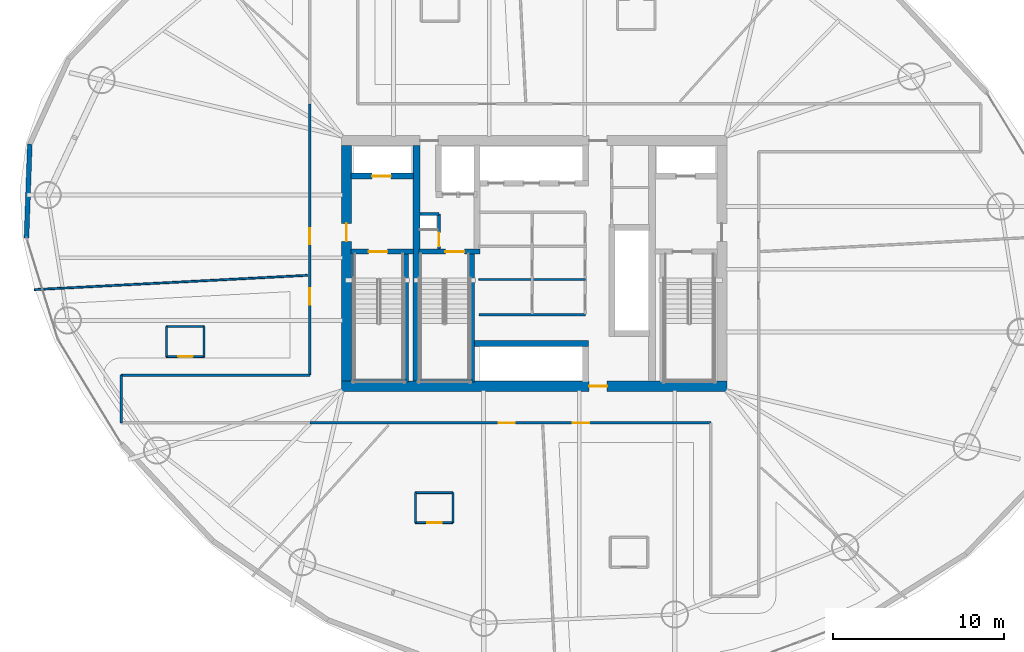
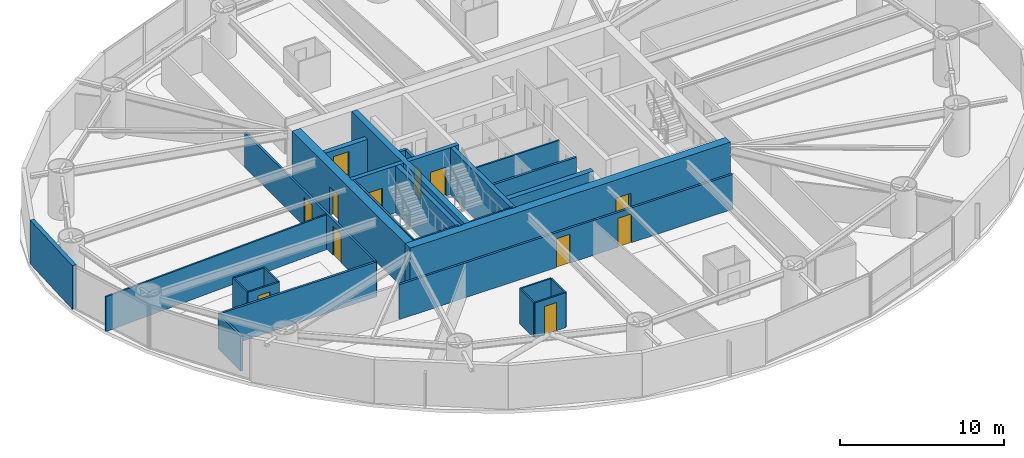
# One storey, part 23 of 30: 30 walls, 12 doors, 12 openings.
"""IFC4 building model written with IfcOpenShell, lengths in metres."""

from ifc_helpers import new_model, si_unit, direction, frame, frame_2d, origin, place, context, subcontext, project, spatial, rectangle, extrude, material, layer, layer_set, type_object, element, fill, save


model = new_model("IFC4")

# Units and contexts
model_context = context("Model", 3, precision=1e-05, world=origin(), true_north=direction((0.0, 1.0)))
body_context = subcontext(model_context, "Body", "Model", "MODEL_VIEW")
ifc_project = project(units=[si_unit("LENGTHUNIT", "METRE"), si_unit("AREAUNIT", "SQUARE_METRE"), si_unit("VOLUMEUNIT", "CUBIC_METRE"), si_unit("PLANEANGLEUNIT", "RADIAN"), si_unit("MASSUNIT", "GRAM", prefix="KILO")], contexts=[model_context])

# Site, building, storey
site_placement = place(None, origin())
site = spatial("IfcSite", under=ifc_project, at=site_placement, CompositionType="ELEMENT")
building_placement = place(site_placement, origin())
building = spatial("IfcBuilding", under=site, at=building_placement, Name="Bramvorn Convention Spire", CompositionType="ELEMENT")
storey_placement = place(building_placement, frame((0.0, 0.0, 86.89990234375)))
storey = spatial("IfcBuildingStorey", under=building, at=storey_placement, Name="L20", CompositionType="ELEMENT", Elevation=86.89990234375)

# Wall, opening, door
ifc_material_1 = material(Name="Concrete C60/70", Category="concrete")
ifc_layer_1 = layer(ifc_material_1, 0.60009765625)
ifc_layer_set_1 = layer_set([ifc_layer_1], Name="Concrete C60/70 - WL-CORE-600")
wall_type_1 = type_object("IfcWallType", Name="WL-CORE-600", PredefinedType="SHEAR", material=ifc_layer_set_1)
wall_1_placement = place(storey_placement, frame((26.699951171875, 18.800048828125, 0.0), z_axis=(0.0, 0.0, 1.0), x_axis=(1.0, 0.0, 0.0)))
wall_1 = element("IfcWall", 1, at=wall_1_placement, inside=storey, type_object=wall_type_1, Name="L20 South RC core shear wall", PredefinedType="SHEAR", context=body_context, shape_type="SweptSolid", body=[
    extrude(rectangle(XDim=22.60009765625, YDim=0.60009765625, at=frame_2d((11.300048828125, 0.0))), origin(), (0.0, 0.0, 1.0), 3.5),
])
opening_1_placement = place(wall_1_placement, frame((14.52001953125, 0.0, 0.0)))
opening_1 = element("IfcOpeningElement", 2, at=opening_1_placement, cuts=wall_1, Name="Opening DL-105", PredefinedType="OPENING", context=body_context, shape_type="SweptSolid", body=[
    extrude(rectangle(XDim=1.050048828125, YDim=2.14990234375, at=frame_2d((0.52490234375, 1.074951171875))), frame((0.0, 0.31005859375, 0.0), z_axis=(0.0, -1.0, 0.0), x_axis=(1.0, 0.0, 0.0)), (0.0, 0.0, 1.0), 0.6201171875),
])
ifc_material_2 = material(Name="Smoke-Sealed Fire Lobby Timber-Core Door", Category="wood")
door_type_1 = type_object("IfcDoorType", Name="DR-LOBBY-1050", OperationType="NOTDEFINED", PredefinedType="DOOR", material=ifc_material_2)
door_1_placement = place(opening_1_placement, origin())
door_1 = element("IfcDoor", 3, at=door_1_placement, inside=storey, type_object=door_type_1, Name="L20 South Lift Lobby fire door", OperationType="SINGLE_SWING_RIGHT", OverallHeight=2.14990234375, OverallWidth=1.050048828125, PredefinedType="DOOR", context=body_context, shape_type="SweptSolid", body=[
    extrude(rectangle(XDim=1.050048828125, YDim=2.14990234375, at=frame_2d((0.52490234375, 1.074951171875))), frame((0.0, 0.02490234375, 0.0), z_axis=(0.0, -1.0, 0.0), x_axis=(1.0, 0.0, 0.0)), (0.0, 0.0, 1.0), 0.050048828125),
])
fill(opening_1, door_1)

wall_2_placement = place(storey_placement, frame((27.0, 19.10009765625, 0.0), z_axis=(0.0, 0.0, 1.0), x_axis=(0.0, 1.0, 0.0)))
wall_2 = element("IfcWall", 4, at=wall_2_placement, inside=storey, type_object=wall_type_1, Name="L20 West RC core shear wall", PredefinedType="SHEAR", context=body_context, shape_type="SweptSolid", body=[
    extrude(rectangle(XDim=13.7998046875, YDim=0.60009765625, at=frame_2d((6.89990234375, 0.0))), origin(), (0.0, 0.0, 1.0), 3.5),
])
opening_2_placement = place(wall_2_placement, frame((8.199951171875, 0.0, 0.0)))
opening_2 = element("IfcOpeningElement", 5, at=opening_2_placement, cuts=wall_2, Name="Opening DL-105", PredefinedType="OPENING", context=body_context, shape_type="SweptSolid", body=[
    extrude(rectangle(XDim=1.050048828125, YDim=2.14990234375, at=frame_2d((0.52490234375, 1.074951171875))), frame((0.0, 0.31005859375, 0.0), z_axis=(0.0, -1.0, 0.0), x_axis=(1.0, 0.0, 0.0)), (0.0, 0.0, 1.0), 0.6201171875),
])
door_2_placement = place(opening_2_placement, origin())
door_2 = element("IfcDoor", 6, at=door_2_placement, inside=storey, type_object=door_type_1, Name="L20 West Firefighting Lobby corridor door", OperationType="SINGLE_SWING_RIGHT", OverallHeight=2.14990234375, OverallWidth=1.050048828125, PredefinedType="DOOR", context=body_context, shape_type="SweptSolid", body=[
    extrude(rectangle(XDim=1.050048828125, YDim=2.14990234375, at=frame_2d((0.52490234375, 1.074951171875))), frame((0.0, 0.02490234375, 0.0), z_axis=(0.0, -1.0, 0.0), x_axis=(1.0, 0.0, 0.0)), (0.0, 0.0, 1.0), 0.050048828125),
])
fill(opening_2, door_2)

ifc_material_3 = material(Name="Concrete C50/60", Category="concrete")
ifc_layer_2 = layer(ifc_material_3, 0.35009765625)
ifc_layer_set_2 = layer_set([ifc_layer_2], Name="Concrete C50/60 - WL-CORE-INT-350")
wall_type_2 = type_object("IfcWallType", Name="WL-CORE-INT-350", PredefinedType="SHEAR", material=ifc_layer_set_2)
wall_3_placement = place(storey_placement, frame((27.25, 31.1201171875, 0.0), z_axis=(0.0, 0.0, 1.0), x_axis=(1.0, 0.0, 0.0)))
wall_3 = element("IfcWall", 7, at=wall_3_placement, inside=storey, type_object=wall_type_2, Name="L20 FE1 shaft front wall", PredefinedType="SHEAR", context=body_context, shape_type="SweptSolid", body=[
    extrude(rectangle(XDim=3.669921875, YDim=0.35009765625, at=frame_2d((1.8349609375, 0.0))), origin(), (0.0, 0.0, 1.0), 2.60009765625),
])
opening_3_placement = place(wall_3_placement, frame((1.25, 0.0, 0.0)))
opening_3 = element("IfcOpeningElement", 8, at=opening_3_placement, cuts=wall_3, Name="Opening LD-110", PredefinedType="OPENING", context=body_context, shape_type="SweptSolid", body=[
    extrude(rectangle(XDim=1.10009765625, YDim=2.14990234375, at=frame_2d((0.550048828125, 1.074951171875))), frame((0.0, 0.18505859375, 0.0), z_axis=(0.0, -1.0, 0.0), x_axis=(1.0, 0.0, 0.0)), (0.0, 0.0, 1.0), 0.3701171875),
])
ifc_material_4 = material(Name="Firefighting & Service Lift Sliding Landing Door", Category="steel")
door_type_2 = type_object("IfcDoorType", Name="DR-LIFT-LD-1100", OperationType="NOTDEFINED", PredefinedType="DOOR", material=ifc_material_4)
door_3_placement = place(opening_3_placement, origin())
door_3 = element("IfcDoor", 9, at=door_3_placement, inside=storey, type_object=door_type_2, Name="L20 Lift FE1 Sliding Landing Door", OperationType="SLIDING_TO_LEFT", OverallHeight=2.14990234375, OverallWidth=1.10009765625, PredefinedType="DOOR", context=body_context, shape_type="SweptSolid", body=[
    extrude(rectangle(XDim=1.10009765625, YDim=2.14990234375, at=frame_2d((0.550048828125, 1.074951171875))), frame((0.0, 0.02490234375, 0.0), z_axis=(0.0, -1.0, 0.0), x_axis=(1.0, 0.0, 0.0)), (0.0, 0.0, 1.0), 0.050048828125),
])
fill(opening_3, door_3)

# Walls
wall_4_placement = place(storey_placement, frame((34.489990234375, 21.300048828125, 0.0), z_axis=(0.0, 0.0, 1.0), x_axis=(1.0, 0.0, 0.0)))
element("IfcWall", 10, at=wall_4_placement, inside=storey, type_object=wall_type_2, Name="L20 Mid-rise bank north landing wall", PredefinedType="SHEAR", context=body_context, shape_type="SweptSolid", body=[
    extrude(rectangle(XDim=6.679931640625, YDim=0.35009765625, at=frame_2d((3.33984375, 0.0))), origin(), (0.0, 0.0, 1.0), 2.60009765625),
])
ifc_layer_3 = layer(ifc_material_1, 0.39990234375)
ifc_layer_set_3 = layer_set([ifc_layer_3], Name="Concrete C60/70 - WL-CORE-INT-400")
wall_type_3 = type_object("IfcWallType", Name="WL-CORE-INT-400", PredefinedType="SHEAR", material=ifc_layer_set_3)
wall_5_placement = place(storey_placement, frame((31.10009765625, 19.10009765625, 0.0), z_axis=(0.0, 0.0, 1.0), x_axis=(0.0, 1.0, 0.0)))
element("IfcWall", 11, at=wall_5_placement, inside=storey, type_object=wall_type_3, Name="L20 West internal core shear web", PredefinedType="SHEAR", context=body_context, shape_type="SweptSolid", body=[
    extrude(rectangle(XDim=13.7998046875, YDim=0.39990234375, at=frame_2d((6.89990234375, 0.0))), origin(), (0.0, 0.0, 1.0), 3.5),
])
ifc_material_5 = material(Name="Precast Concrete C40/50 with Bronze Terracotta Rainscreen", Category="masonry")
ifc_layer_4 = layer(ifc_material_5, 0.300048828125)
ifc_layer_set_4 = layer_set([ifc_layer_4], Name="Precast Concrete C40/50 with Bronze Terracotta Rainscreen - WL-EXT-BRONZE-300")
wall_type_4 = type_object("IfcWallType", Name="WL-EXT-BRONZE-300", PredefinedType="SOLIDWALL", material=ifc_layer_set_4)
wall_6_placement = place(storey_placement, frame((8.24169921875, 27.494873046875, 0.0), z_axis=(0.0, 0.0, 1.0), x_axis=(0.035127613865, 0.999382834926, 0.0)))
element("IfcWall", 12, at=wall_6_placement, inside=storey, type_object=wall_type_4, Name="L20 expressed bronze Gothic lancet pier wall 13", PredefinedType="SOLIDWALL", context=body_context, shape_type="SweptSolid", body=[
    extrude(rectangle(XDim=5.49755859375, YDim=0.280029296875, at=frame_2d((2.748779296875, 0.0))), origin(), (0.0, 0.0, 1.0), 3.25),
])
ifc_material_6 = material(Name="Lightweight En-Suite & Wet-Wall Partition", Category="gypsum")
ifc_layer_5 = layer(ifc_material_6, 0.110107421875)
ifc_layer_set_5 = layer_set([ifc_layer_5], Name="Lightweight En-Suite & Wet-Wall Partition - WL-PART-110")
wall_type_5 = type_object("IfcWallType", Name="WL-PART-110", PredefinedType="PARTITIONING", material=ifc_layer_set_5)
wall_7_placement = place(storey_placement, frame((34.75, 25.055908203125, 0.0), z_axis=(0.0, 0.0, 1.0), x_axis=(1.0, 0.0, 0.0)))
element("IfcWall", 13, at=wall_7_placement, inside=storey, type_object=wall_type_5, Name="L20 KB divider 1", PredefinedType="PARTITIONING", context=body_context, shape_type="SweptSolid", body=[
    extrude(rectangle(XDim=6.25, YDim=0.110107421875, at=frame_2d((3.125, 0.0))), origin(), (0.0, 0.0, 1.0), 2.60009765625),
])
wall_8_placement = place(storey_placement, frame((24.7099609375, 25.303466796875, 0.0), z_axis=(0.0, 0.0, 1.0), x_axis=(-0.998629623722, -0.052334258611, 0.0)))
element("IfcWall", 14, at=wall_8_placement, inside=storey, type_object=wall_type_5, Name="L20 Guestroom demising wall 5", PredefinedType="PARTITIONING", context=body_context, shape_type="SweptSolid", body=[
    extrude(rectangle(XDim=16.03369140625, YDim=0.110107421875, at=frame_2d((8.016845703125, 0.0))), origin(), (0.0, 0.0, 1.0), 2.60009765625),
])

# Wall, opening, door
wall_9_placement = place(storey_placement, frame((16.4453125, 20.541748046875, 0.0), z_axis=(0.0, 0.0, 1.0), x_axis=(1.0, 0.0, 0.0)))
wall_9 = element("IfcWall", 15, at=wall_9_placement, inside=storey, type_object=wall_type_5, Name="Hotel Suite 2005 en-suite south wall", PredefinedType="PARTITIONING", context=body_context, shape_type="SweptSolid", body=[
    extrude(rectangle(XDim=2.199951171875, YDim=0.110107421875, at=frame_2d((1.10009765625, 0.0))), origin(), (0.0, 0.0, 1.0), 2.60009765625),
])
opening_4_placement = place(wall_9_placement, frame((0.679931640625, 0.0, 0.0)))
opening_4 = element("IfcOpeningElement", 16, at=opening_4_placement, cuts=wall_9, Name="Opening DI-085", PredefinedType="OPENING", context=body_context, shape_type="SweptSolid", body=[
    extrude(rectangle(XDim=0.85009765625, YDim=2.10009765625, at=frame_2d((0.425048828125, 1.050048828125))), frame((0.0, 0.06494140625, 0.0), z_axis=(0.0, -1.0, 0.0), x_axis=(1.0, 0.0, 0.0)), (0.0, 0.0, 1.0), 0.130126953125),
])
ifc_material_7 = material(Name="En-Suite & Restroom Privacy Door", Category="wood")
door_type_3 = type_object("IfcDoorType", Name="DR-INT-850", OperationType="NOTDEFINED", PredefinedType="DOOR", material=ifc_material_7)
door_4_placement = place(opening_4_placement, origin())
door_4 = element("IfcDoor", 17, at=door_4_placement, inside=storey, type_object=door_type_3, Name="Hotel Suite 2005 En-Suite Bathroom door", OperationType="SINGLE_SWING_LEFT", OverallHeight=2.10009765625, OverallWidth=0.85009765625, PredefinedType="DOOR", context=body_context, shape_type="SweptSolid", body=[
    extrude(rectangle(XDim=0.85009765625, YDim=2.10009765625, at=frame_2d((0.425048828125, 1.050048828125))), frame((0.0, 0.02490234375, 0.0), z_axis=(0.0, -1.0, 0.0), x_axis=(1.0, 0.0, 0.0)), (0.0, 0.0, 1.0), 0.050048828125),
])
fill(opening_4, door_4)

# Walls
wall_10_placement = place(storey_placement, frame((16.4453125, 22.3017578125, 0.0), z_axis=(0.0, 0.0, 1.0), x_axis=(1.0, 0.0, 0.0)))
element("IfcWall", 18, at=wall_10_placement, inside=storey, type_object=wall_type_5, Name="Hotel Suite 2005 en-suite north wall", PredefinedType="PARTITIONING", context=body_context, shape_type="SweptSolid", body=[
    extrude(rectangle(XDim=2.199951171875, YDim=0.110107421875, at=frame_2d((1.10009765625, 0.0))), origin(), (0.0, 0.0, 1.0), 2.60009765625),
])
for number, where, z_axis, x_axis, name in (
    (19, (16.4453125, 20.541748046875, 0.0), (0.0, 0.0, 1.0), (0.0, 1.0, 0.0), "Hotel Suite 2005 en-suite west wall"),
    (20, (18.645263671875, 20.541748046875, 0.0), (0.0, 0.0, 1.0), (0.0, 1.0, 0.0), "Hotel Suite 2005 en-suite east wall"),
):
    element("IfcWall", number, at=place(storey_placement, frame(where, z_axis=z_axis, x_axis=x_axis)), inside=storey, type_object=wall_type_5, Name=name, PredefinedType="PARTITIONING", context=body_context, shape_type="SweptSolid", body=[
        extrude(rectangle(XDim=1.760009765625, YDim=0.110107421875, at=frame_2d((0.8798828125, 0.0))), origin(), (0.0, 0.0, 1.0), 2.60009765625),
    ])

# Wall, opening, door
wall_11_placement = place(storey_placement, frame((31.03857421875, 10.808837890625, 0.0), z_axis=(0.0, 0.0, 1.0), x_axis=(1.0, 0.0, 0.0)))
wall_11 = element("IfcWall", 21, at=wall_11_placement, inside=storey, type_object=wall_type_5, Name="Hotel Suite 2006 en-suite south wall", PredefinedType="PARTITIONING", context=body_context, shape_type="SweptSolid", body=[
    extrude(rectangle(XDim=2.199951171875, YDim=0.110107421875, at=frame_2d((1.10009765625, 0.0))), origin(), (0.0, 0.0, 1.0), 2.60009765625),
])
opening_5_placement = place(wall_11_placement, frame((0.679931640625, 0.0, 0.0)))
opening_5 = element("IfcOpeningElement", 22, at=opening_5_placement, cuts=wall_11, Name="Opening DI-085", PredefinedType="OPENING", context=body_context, shape_type="SweptSolid", body=[
    extrude(rectangle(XDim=0.85009765625, YDim=2.10009765625, at=frame_2d((0.425048828125, 1.050048828125))), frame((0.0, 0.06494140625, 0.0), z_axis=(0.0, -1.0, 0.0), x_axis=(1.0, 0.0, 0.0)), (0.0, 0.0, 1.0), 0.130126953125),
])
door_5_placement = place(opening_5_placement, origin())
door_5 = element("IfcDoor", 23, at=door_5_placement, inside=storey, type_object=door_type_3, Name="Hotel Suite 2006 En-Suite Bathroom door", OperationType="SINGLE_SWING_LEFT", OverallHeight=2.10009765625, OverallWidth=0.85009765625, PredefinedType="DOOR", context=body_context, shape_type="SweptSolid", body=[
    extrude(rectangle(XDim=0.85009765625, YDim=2.10009765625, at=frame_2d((0.425048828125, 1.050048828125))), frame((0.0, 0.02490234375, 0.0), z_axis=(0.0, -1.0, 0.0), x_axis=(1.0, 0.0, 0.0)), (0.0, 0.0, 1.0), 0.050048828125),
])
fill(opening_5, door_5)

# Walls
wall_12_placement = place(storey_placement, frame((31.03857421875, 12.56884765625, 0.0), z_axis=(0.0, 0.0, 1.0), x_axis=(1.0, 0.0, 0.0)))
element("IfcWall", 24, at=wall_12_placement, inside=storey, type_object=wall_type_5, Name="Hotel Suite 2006 en-suite north wall", PredefinedType="PARTITIONING", context=body_context, shape_type="SweptSolid", body=[
    extrude(rectangle(XDim=2.199951171875, YDim=0.110107421875, at=frame_2d((1.10009765625, 0.0))), origin(), (0.0, 0.0, 1.0), 2.60009765625),
])
for number, where, z_axis, x_axis, name in (
    (25, (31.03857421875, 10.808837890625, 0.0), (0.0, 0.0, 1.0), (0.0, 1.0, 0.0), "Hotel Suite 2006 en-suite west wall"),
    (26, (33.238525390625, 10.808837890625, 0.0), (0.0, 0.0, 1.0), (0.0, 1.0, 0.0), "Hotel Suite 2006 en-suite east wall"),
):
    element("IfcWall", number, at=place(storey_placement, frame(where, z_axis=z_axis, x_axis=x_axis)), inside=storey, type_object=wall_type_5, Name=name, PredefinedType="PARTITIONING", context=body_context, shape_type="SweptSolid", body=[
        extrude(rectangle(XDim=1.760009765625, YDim=0.110107421875, at=frame_2d((0.8798828125, 0.0))), origin(), (0.0, 0.0, 1.0), 2.60009765625),
    ])
ifc_material_8 = material(Name="Acoustic Metal-Stud Tenant/Corridor Partition", Category="gypsum")
ifc_layer_6 = layer(ifc_material_8, 0.14990234375)
ifc_layer_set_6 = layer_set([ifc_layer_6], Name="Acoustic Metal-Stud Tenant/Corridor Partition - WL-PART-150")
wall_type_6 = type_object("IfcWallType", Name="WL-PART-150", PredefinedType="PARTITIONING", material=ifc_layer_set_6)
wall_13_placement = place(storey_placement, frame((34.75, 23.0, 0.0), z_axis=(0.0, 0.0, 1.0), x_axis=(1.0, 0.0, 0.0)))
element("IfcWall", 27, at=wall_13_placement, inside=storey, type_object=wall_type_6, Name="L20 Mid-rise lift vestibule north wall", PredefinedType="PARTITIONING", context=body_context, shape_type="SweptSolid", body=[
    extrude(rectangle(XDim=6.25, YDim=0.14990234375, at=frame_2d((3.125, 0.0))), origin(), (0.0, 0.0, 1.0), 2.60009765625),
])

# Wall, openings, doors
wall_14_placement = place(storey_placement, frame((24.85009765625, 16.64990234375, 0.0), z_axis=(0.0, 0.0, 1.0), x_axis=(1.0, 0.0, 0.0)))
wall_14 = element("IfcWall", 28, at=wall_14_placement, inside=storey, type_object=wall_type_6, Name="L20 South ring corridor wall", PredefinedType="PARTITIONING", context=body_context, shape_type="SweptSolid", body=[
    extrude(rectangle(XDim=23.5, YDim=0.14990234375, at=frame_2d((11.75, 0.0))), origin(), (0.0, 0.0, 1.0), 2.60009765625),
])
opening_6_placement = place(wall_14_placement, frame((11.05712890625, 0.0, 0.0)))
opening_6 = element("IfcOpeningElement", 29, at=opening_6_placement, cuts=wall_14, Name="Opening DH-095", PredefinedType="OPENING", context=body_context, shape_type="SweptSolid", body=[
    extrude(rectangle(XDim=0.949951171875, YDim=2.14990234375, at=frame_2d((0.47509765625, 1.074951171875))), frame((0.0, 0.0849609375, 0.0), z_axis=(0.0, -1.0, 0.0), x_axis=(1.0, 0.0, 0.0)), (0.0, 0.0, 1.0), 0.169921875),
])
opening_7_placement = place(wall_14_placement, frame((15.41259765625, 0.0, 0.0)))
opening_7 = element("IfcOpeningElement", 30, at=opening_7_placement, cuts=wall_14, Name="Opening DH-095", PredefinedType="OPENING", context=body_context, shape_type="SweptSolid", body=[
    extrude(rectangle(XDim=0.949951171875, YDim=2.14990234375, at=frame_2d((0.47509765625, 1.074951171875))), frame((0.0, 0.0849609375, 0.0), z_axis=(0.0, -1.0, 0.0), x_axis=(1.0, 0.0, 0.0)), (0.0, 0.0, 1.0), 0.169921875),
])
ifc_material_9 = material(Name="Solid-Core Acoustic Guestroom Entry Door", Category="wood")
door_type_4 = type_object("IfcDoorType", Name="DR-HOTEL-950", OperationType="NOTDEFINED", PredefinedType="DOOR", material=ifc_material_9)
door_6_placement = place(opening_6_placement, origin())
door_6 = element("IfcDoor", 31, at=door_6_placement, inside=storey, type_object=door_type_4, Name="Hotel Suite 2006 entry door", OperationType="SINGLE_SWING_RIGHT", OverallHeight=2.14990234375, OverallWidth=0.949951171875, PredefinedType="DOOR", context=body_context, shape_type="SweptSolid", body=[
    extrude(rectangle(XDim=0.949951171875, YDim=2.14990234375, at=frame_2d((0.47509765625, 1.074951171875))), frame((0.0, 0.02490234375, 0.0), z_axis=(0.0, -1.0, 0.0), x_axis=(1.0, 0.0, 0.0)), (0.0, 0.0, 1.0), 0.050048828125),
])
fill(opening_6, door_6)
door_7_placement = place(opening_7_placement, origin())
door_7 = element("IfcDoor", 32, at=door_7_placement, inside=storey, type_object=door_type_4, Name="Hotel Suite 2007 entry door", OperationType="SINGLE_SWING_RIGHT", OverallHeight=2.14990234375, OverallWidth=0.949951171875, PredefinedType="DOOR", context=body_context, shape_type="SweptSolid", body=[
    extrude(rectangle(XDim=0.949951171875, YDim=2.14990234375, at=frame_2d((0.47509765625, 1.074951171875))), frame((0.0, 0.02490234375, 0.0), z_axis=(0.0, -1.0, 0.0), x_axis=(1.0, 0.0, 0.0)), (0.0, 0.0, 1.0), 0.050048828125),
])
fill(opening_7, door_7)

wall_15_placement = place(storey_placement, frame((24.85009765625, 19.449951171875, 0.0), z_axis=(0.0, 0.0, 1.0), x_axis=(0.0, 1.0, 0.0)))
wall_15 = element("IfcWall", 33, at=wall_15_placement, inside=storey, type_object=wall_type_6, Name="L20 West ring corridor wall", PredefinedType="PARTITIONING", context=body_context, shape_type="SweptSolid", body=[
    extrude(rectangle(XDim=15.900146484375, YDim=0.14990234375, at=frame_2d((7.9501953125, 0.0))), origin(), (0.0, 0.0, 1.0), 2.60009765625),
])
opening_8_placement = place(wall_15_placement, frame((7.668701171875, 0.0, 0.0)))
opening_8 = element("IfcOpeningElement", 34, at=opening_8_placement, cuts=wall_15, Name="Opening DH-095", PredefinedType="OPENING", context=body_context, shape_type="SweptSolid", body=[
    extrude(rectangle(XDim=0.949951171875, YDim=2.14990234375, at=frame_2d((0.47509765625, 1.074951171875))), frame((0.0, 0.0849609375, 0.0), z_axis=(0.0, -1.0, 0.0), x_axis=(1.0, 0.0, 0.0)), (0.0, 0.0, 1.0), 0.169921875),
])
opening_9_placement = place(wall_15_placement, frame((4.13818359375, 0.0, 0.0)))
opening_9 = element("IfcOpeningElement", 35, at=opening_9_placement, cuts=wall_15, Name="Opening DH-095", PredefinedType="OPENING", context=body_context, shape_type="SweptSolid", body=[
    extrude(rectangle(XDim=0.949951171875, YDim=2.14990234375, at=frame_2d((0.47509765625, 1.074951171875))), frame((0.0, 0.0849609375, 0.0), z_axis=(0.0, -1.0, 0.0), x_axis=(1.0, 0.0, 0.0)), (0.0, 0.0, 1.0), 0.169921875),
])
door_8_placement = place(opening_8_placement, origin())
door_8 = element("IfcDoor", 36, at=door_8_placement, inside=storey, type_object=door_type_4, Name="L20 Hospitality Salon 4 door", OperationType="SINGLE_SWING_RIGHT", OverallHeight=2.14990234375, OverallWidth=0.949951171875, PredefinedType="DOOR", context=body_context, shape_type="SweptSolid", body=[
    extrude(rectangle(XDim=0.949951171875, YDim=2.14990234375, at=frame_2d((0.47509765625, 1.074951171875))), frame((0.0, 0.02490234375, 0.0), z_axis=(0.0, -1.0, 0.0), x_axis=(1.0, 0.0, 0.0)), (0.0, 0.0, 1.0), 0.050048828125),
])
fill(opening_8, door_8)
door_9_placement = place(opening_9_placement, origin())
door_9 = element("IfcDoor", 37, at=door_9_placement, inside=storey, type_object=door_type_4, Name="Hotel Suite 2005 entry door", OperationType="SINGLE_SWING_LEFT", OverallHeight=2.14990234375, OverallWidth=0.949951171875, PredefinedType="DOOR", context=body_context, shape_type="SweptSolid", body=[
    extrude(rectangle(XDim=0.949951171875, YDim=2.14990234375, at=frame_2d((0.47509765625, 1.074951171875))), frame((0.0, 0.02490234375, 0.0), z_axis=(0.0, -1.0, 0.0), x_axis=(1.0, 0.0, 0.0)), (0.0, 0.0, 1.0), 0.050048828125),
])
fill(opening_9, door_9)

# Walls
wall_16_placement = place(storey_placement, frame((13.781494140625, 19.449951171875, 0.0), z_axis=(0.0, 0.0, 1.0), x_axis=(1.0, 0.0, 0.0)))
element("IfcWall", 38, at=wall_16_placement, inside=storey, type_object=wall_type_6, Name="L20 SW pinwheel wing north wall", PredefinedType="PARTITIONING", context=body_context, shape_type="SweptSolid", body=[
    extrude(rectangle(XDim=11.068603515625, YDim=0.14990234375, at=frame_2d((5.5341796875, 0.0))), origin(), (0.0, 0.0, 1.0), 2.60009765625),
])
wall_17_placement = place(storey_placement, frame((13.781494140625, 16.64990234375, 0.0), z_axis=(0.0, 0.0, 1.0), x_axis=(0.0, 1.0, 0.0)))
element("IfcWall", 39, at=wall_17_placement, inside=storey, type_object=wall_type_6, Name="L20 SW pinwheel end wall", PredefinedType="PARTITIONING", context=body_context, shape_type="SweptSolid", body=[
    extrude(rectangle(XDim=2.800048828125, YDim=0.14990234375, at=frame_2d((1.39990234375, 0.0))), origin(), (0.0, 0.0, 1.0), 2.60009765625),
])

# Wall, opening, door
ifc_material_10 = material(Name="Gypsum Shaftwall & Rockwool Core Partition", Category="gypsum")
ifc_layer_7 = layer(ifc_material_10, 0.199951171875)
ifc_layer_set_7 = layer_set([ifc_layer_7], Name="Gypsum Shaftwall & Rockwool Core Partition - WL-PART-200-FR")
wall_type_7 = type_object("IfcWallType", Name="WL-PART-200-FR", PredefinedType="PARTITIONING", material=ifc_layer_set_7)
wall_18_placement = place(storey_placement, frame((32.419921875, 26.860107421875, 0.0), z_axis=(0.0, 0.0, 1.0), x_axis=(0.0, 1.0, 0.0)))
wall_18 = element("IfcWall", 40, at=wall_18_placement, inside=storey, type_object=wall_type_7, Name="L20 Telecom riser east wall", PredefinedType="PARTITIONING", context=body_context, shape_type="SweptSolid", body=[
    extrude(rectangle(XDim=2.039794921875, YDim=0.199951171875, at=frame_2d((1.02001953125, 0.0))), origin(), (0.0, 0.0, 1.0), 2.60009765625),
])
opening_10_placement = place(wall_18_placement, frame((0.139892578125, 0.0, 0.0)))
opening_10 = element("IfcOpeningElement", 41, at=opening_10_placement, cuts=wall_18, Name="Opening DR-080", PredefinedType="OPENING", context=body_context, shape_type="SweptSolid", body=[
    extrude(rectangle(XDim=0.800048828125, YDim=2.050048828125, at=frame_2d((0.39990234375, 1.02490234375))), frame((0.0, 0.10986328125, 0.0), z_axis=(0.0, -1.0, 0.0), x_axis=(1.0, 0.0, 0.0)), (0.0, 0.0, 1.0), 0.219970703125),
])
ifc_material_11 = material(Name="Flush Steel Riser Access Door", Category="steel")
door_type_5 = type_object("IfcDoorType", Name="DR-RISER-800", OperationType="NOTDEFINED", PredefinedType="DOOR", material=ifc_material_11)
door_10_placement = place(opening_10_placement, origin())
door_10 = element("IfcDoor", 42, at=door_10_placement, inside=storey, type_object=door_type_5, Name="L20 Telecom riser access door", OperationType="SINGLE_SWING_RIGHT", OverallHeight=2.050048828125, OverallWidth=0.800048828125, PredefinedType="DOOR", context=body_context, shape_type="SweptSolid", body=[
    extrude(rectangle(XDim=0.800048828125, YDim=2.050048828125, at=frame_2d((0.39990234375, 1.02490234375))), frame((0.0, 0.02490234375, 0.0), z_axis=(0.0, -1.0, 0.0), x_axis=(1.0, 0.0, 0.0)), (0.0, 0.0, 1.0), 0.050048828125),
])
fill(opening_10, door_10)

# Wall
wall_19_placement = place(storey_placement, frame((31.300048828125, 28.89990234375, 0.0), z_axis=(0.0, 0.0, 1.0), x_axis=(1.0, 0.0, 0.0)))
element("IfcWall", 43, at=wall_19_placement, inside=storey, type_object=wall_type_7, Name="L20 Telecom riser north wall", PredefinedType="PARTITIONING", context=body_context, shape_type="SweptSolid", body=[
    extrude(rectangle(XDim=1.119873046875, YDim=0.199951171875, at=frame_2d((0.56005859375, 0.0))), origin(), (0.0, 0.0, 1.0), 2.60009765625),
])

# Wall, opening, door
ifc_layer_8 = layer(ifc_material_3, 0.300048828125)
ifc_layer_set_8 = layer_set([ifc_layer_8], Name="Concrete C50/60 - WL-POD-STAIR-300")
wall_type_8 = type_object("IfcWallType", Name="WL-POD-STAIR-300", PredefinedType="SHEAR", material=ifc_layer_set_8)
wall_20_placement = place(storey_placement, frame((27.25, 26.68994140625, 0.0), z_axis=(0.0, 0.0, 1.0), x_axis=(1.0, 0.0, 0.0)))
wall_20 = element("IfcWall", 44, at=wall_20_placement, inside=storey, type_object=wall_type_8, Name="L20 ST1 north fire wall", PredefinedType="SHEAR", context=body_context, shape_type="SweptSolid", body=[
    extrude(rectangle(XDim=3.669921875, YDim=0.300048828125, at=frame_2d((1.8349609375, 0.0))), origin(), (0.0, 0.0, 1.0), 3.5),
])
opening_11_placement = place(wall_20_placement, frame((1.050048828125, 0.0, 0.0)))
opening_11 = element("IfcOpeningElement", 45, at=opening_11_placement, cuts=wall_20, Name="Opening DS-110", PredefinedType="OPENING", context=body_context, shape_type="SweptSolid", body=[
    extrude(rectangle(XDim=1.10009765625, YDim=2.14990234375, at=frame_2d((0.550048828125, 1.074951171875))), frame((0.0, 0.159912109375, 0.0), z_axis=(0.0, -1.0, 0.0), x_axis=(1.0, 0.0, 0.0)), (0.0, 0.0, 1.0), 0.320068359375),
])
ifc_material_12 = material(Name="Fire-Rated Hollow Steel Stairwell Door", Category="steel")
door_type_6 = type_object("IfcDoorType", Name="DR-STAIR-1100", OperationType="NOTDEFINED", PredefinedType="DOOR", material=ifc_material_12)
door_11_placement = place(opening_11_placement, origin())
door_11 = element("IfcDoor", 46, at=door_11_placement, inside=storey, type_object=door_type_6, Name="L20 Stair ST1 fire door", OperationType="SINGLE_SWING_LEFT", OverallHeight=2.14990234375, OverallWidth=1.10009765625, PredefinedType="DOOR", context=body_context, shape_type="SweptSolid", body=[
    extrude(rectangle(XDim=1.10009765625, YDim=2.14990234375, at=frame_2d((0.550048828125, 1.074951171875))), frame((0.0, 0.02490234375, 0.0), z_axis=(0.0, -1.0, 0.0), x_axis=(1.0, 0.0, 0.0)), (0.0, 0.0, 1.0), 0.050048828125),
])
fill(opening_11, door_11)

# Walls
for number, where, z_axis, x_axis, name in (
    (47, (30.489990234375, 19.050048828125, 0.0), (0.0, 0.0, 1.0), (0.0, 1.0, 0.0), "L20 ST1 east bearing wall"),
    (48, (34.340087890625, 19.050048828125, 0.0), (0.0, 0.0, 1.0), (0.0, 1.0, 0.0), "L20 ST3 east bearing wall"),
):
    element("IfcWall", number, at=place(storey_placement, frame(where, z_axis=z_axis, x_axis=x_axis)), inside=storey, type_object=wall_type_8, Name=name, PredefinedType="SHEAR", context=body_context, shape_type="SweptSolid", body=[
        extrude(rectangle(XDim=7.5, YDim=0.300048828125, at=frame_2d((3.75, 0.0))), origin(), (0.0, 0.0, 1.0), 3.5),
    ])

# Wall, opening, door
wall_21_placement = place(storey_placement, frame((31.25, 26.68994140625, 0.0), z_axis=(0.0, 0.0, 1.0), x_axis=(1.0, 0.0, 0.0)))
wall_21 = element("IfcWall", 49, at=wall_21_placement, inside=storey, type_object=wall_type_8, Name="L20 ST3 north lobby wall", PredefinedType="SHEAR", context=body_context, shape_type="SweptSolid", body=[
    extrude(rectangle(XDim=3.56005859375, YDim=0.300048828125, at=frame_2d((1.780029296875, 0.0))), origin(), (0.0, 0.0, 1.0), 3.5),
])
opening_12_placement = place(wall_21_placement, frame((1.550048828125, 0.0, 0.0)))
opening_12 = element("IfcOpeningElement", 50, at=opening_12_placement, cuts=wall_21, Name="Opening DS-110", PredefinedType="OPENING", context=body_context, shape_type="SweptSolid", body=[
    extrude(rectangle(XDim=1.10009765625, YDim=2.14990234375, at=frame_2d((0.550048828125, 1.074951171875))), frame((0.0, 0.159912109375, 0.0), z_axis=(0.0, -1.0, 0.0), x_axis=(1.0, 0.0, 0.0)), (0.0, 0.0, 1.0), 0.320068359375),
])
door_12_placement = place(opening_12_placement, origin())
door_12 = element("IfcDoor", 51, at=door_12_placement, inside=storey, type_object=door_type_6, Name="L20 Stair ST3 fire door", OperationType="SINGLE_SWING_LEFT", OverallHeight=2.14990234375, OverallWidth=1.10009765625, PredefinedType="DOOR", context=body_context, shape_type="SweptSolid", body=[
    extrude(rectangle(XDim=1.10009765625, YDim=2.14990234375, at=frame_2d((0.550048828125, 1.074951171875))), frame((0.0, 0.02490234375, 0.0), z_axis=(0.0, -1.0, 0.0), x_axis=(1.0, 0.0, 0.0)), (0.0, 0.0, 1.0), 0.050048828125),
])
fill(opening_12, door_12)

# Walls
ifc_layer_9 = layer(ifc_material_3, 0.1201171875)
ifc_layer_set_9 = layer_set([ifc_layer_9], Name="Concrete C50/60 - WL-STAIR-RC-120")
wall_type_9 = type_object("IfcWallType", Name="WL-STAIR-RC-120", PredefinedType="SHEAR", material=ifc_layer_set_9)
wall_22_placement = place(storey_placement, frame((27.39501953125, 19.10009765625, 0.0), z_axis=(0.0, 0.0, 1.0), x_axis=(0.0, 1.0, 0.0)))
element("IfcWall", 52, at=wall_22_placement, inside=storey, type_object=wall_type_9, Name="L20 ST1 west bearing shear wall", PredefinedType="SHEAR", context=body_context, shape_type="SweptSolid", body=[
    extrude(rectangle(XDim=7.449951171875, YDim=0.1201171875, at=frame_2d((3.72509765625, 0.0))), origin(), (0.0, 0.0, 1.0), 3.5),
])
wall_23_placement = place(storey_placement, frame((27.39501953125, 19.159912109375, 0.0), z_axis=(0.0, 0.0, 1.0), x_axis=(1.0, 0.0, 0.0)))
element("IfcWall", 53, at=wall_23_placement, inside=storey, type_object=wall_type_9, Name="L20 ST1 south bearing shear wall", PredefinedType="SHEAR", context=body_context, shape_type="SweptSolid", body=[
    extrude(rectangle(XDim=3.094970703125, YDim=0.1201171875, at=frame_2d((1.54736328125, 0.0))), origin(), (0.0, 0.0, 1.0), 3.5),
])
wall_24_placement = place(storey_placement, frame((31.300048828125, 19.159912109375, 0.0), z_axis=(0.0, 0.0, 1.0), x_axis=(1.0, 0.0, 0.0)))
element("IfcWall", 54, at=wall_24_placement, inside=storey, type_object=wall_type_9, Name="L20 ST3 south bearing shear wall", PredefinedType="SHEAR", context=body_context, shape_type="SweptSolid", body=[
    extrude(rectangle(XDim=3.0400390625, YDim=0.1201171875, at=frame_2d((1.52001953125, 0.0))), origin(), (0.0, 0.0, 1.0), 3.5),
])

save(model, "model.ifc")
